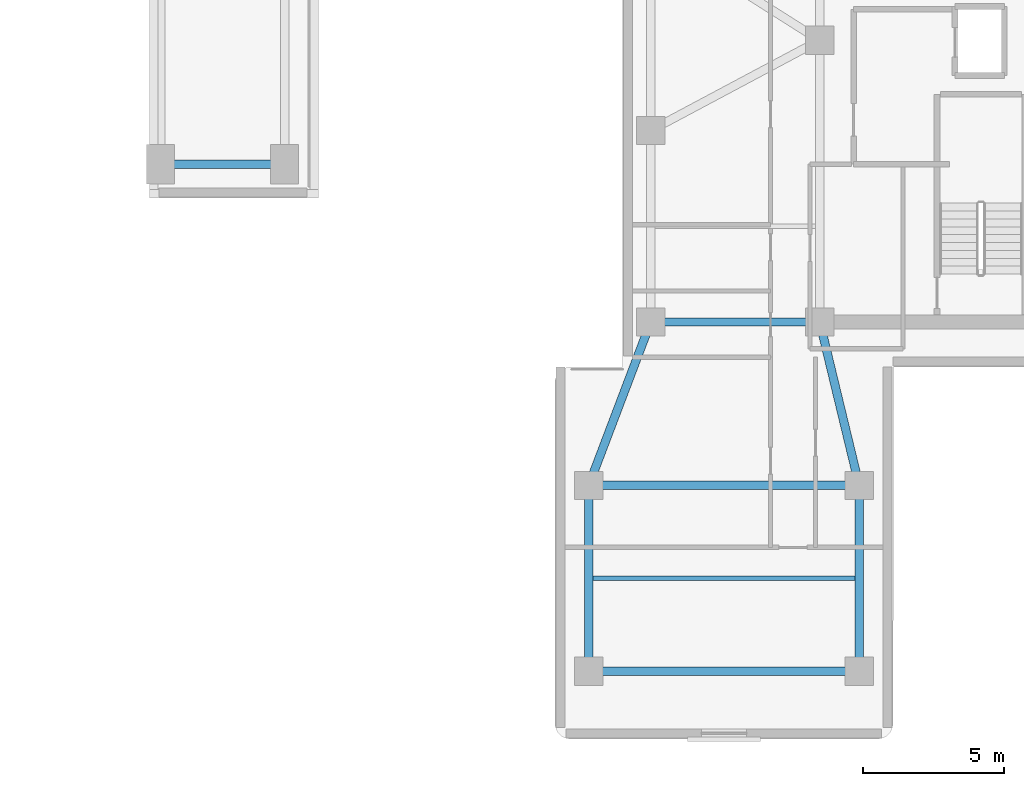
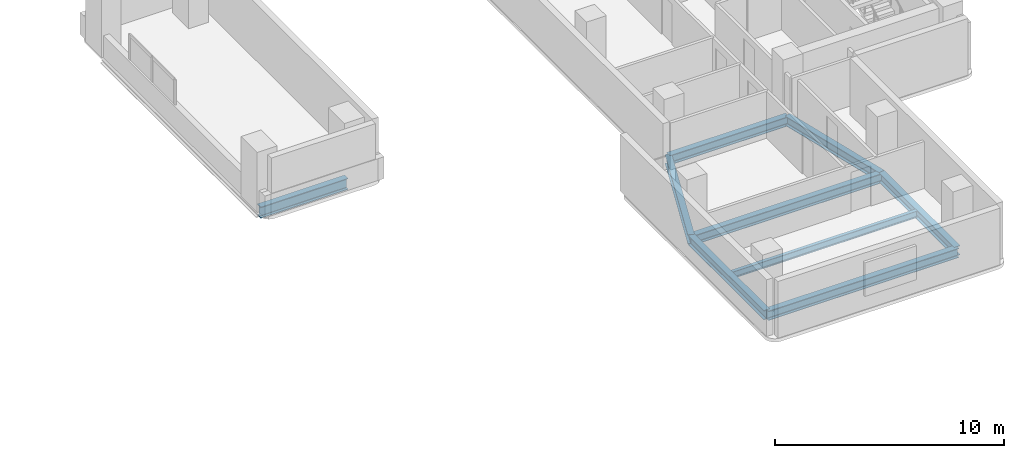
# One storey, part 3 of 12: 9 beams.
"""IFC4 building model written with IfcOpenShell, lengths in metres."""

from ifc_helpers import new_model, si_unit, direction, frame, origin, origin_2d, place, context, subcontext, project, spatial, i_section, extrude, material, material_profile, profile_set, type_object, element, save


model = new_model("IFC4")

# Units and contexts
model_context = context("Model", 3, precision=1e-05, world=origin(), true_north=direction((0.0, 1.0)))
body_context = subcontext(model_context, "Body", "Model", "MODEL_VIEW")
ifc_project = project(units=[si_unit("LENGTHUNIT", "METRE"), si_unit("AREAUNIT", "SQUARE_METRE"), si_unit("VOLUMEUNIT", "CUBIC_METRE"), si_unit("PLANEANGLEUNIT", "RADIAN"), si_unit("MASSUNIT", "GRAM", prefix="KILO")], contexts=[model_context])

# Site, building, storey
site_placement = place(None, origin())
site = spatial("IfcSite", under=ifc_project, at=site_placement, CompositionType="ELEMENT")
building_placement = place(site_placement, origin())
building = spatial("IfcBuilding", under=site, at=building_placement, Name="Kuzgunbayir Cultural Tower", CompositionType="ELEMENT")
storey_placement = place(building_placement, frame((0.0, 0.0, 30.199951171875)))
storey = spatial("IfcBuildingStorey", under=building, at=storey_placement, Name="L07", CompositionType="ELEMENT", Elevation=30.199951171875)

# Beams
ifc_material = material(Name="Steel S355J2", Category="steel")
ifc_material_profile_1 = material_profile(ifc_material, i_section(OverallWidth=0.300048828125, OverallDepth=0.5, WebThickness=0.014404296875, FlangeThickness=0.028076171875, FilletRadius=0.027099609375, at=origin_2d()), Name="HEB 500")
ifc_profile_set_1 = profile_set([ifc_material_profile_1], Name="Steel S355J2")
beam_type_1 = type_object("IfcBeamType", Name="BM-EXT-HEB500", PredefinedType="BEAM", material=ifc_profile_set_1)
beam_1_placement = place(storey_placement, frame((56.39990234375, 9.60009765625, -0.429931640625), z_axis=(0.0, 1.0, 0.0), x_axis=(-1.0, 0.0, 0.0)))
element("IfcBeam", 1, at=beam_1_placement, inside=storey, type_object=beam_type_1, Name="L07 Companion Wing B West Girder", PredefinedType="BEAM", context=body_context, shape_type="SweptSolid", body=[
    extrude(i_section(OverallWidth=0.300048828125, OverallDepth=0.5, WebThickness=0.014404296875, FlangeThickness=0.028076171875, FilletRadius=0.027099609375, at=origin_2d()), origin(), (0.0, 0.0, 1.0), 6.599853515625),
])
beam_2_placement = place(storey_placement, frame((56.39990234375, 16.199951171875, -0.429931640625), z_axis=(0.354679148754, 0.93498807556, 0.0), x_axis=(-0.93498807556, 0.354679148754, 0.0)))
element("IfcBeam", 2, at=beam_2_placement, inside=storey, type_object=beam_type_1, Name="L07 Companion Wing B Floor Girder W", PredefinedType="BEAM", context=body_context, shape_type="SweptSolid", body=[
    extrude(i_section(OverallWidth=0.300048828125, OverallDepth=0.5, WebThickness=0.014404296875, FlangeThickness=0.028076171875, FilletRadius=0.027099609375, at=origin_2d()), origin(), (0.0, 0.0, 1.0), 6.203369140625),
])
beam_3_placement = place(storey_placement, frame((66.0, 9.60009765625, -0.429931640625), z_axis=(0.0, 1.0, 0.0), x_axis=(-1.0, 0.0, 0.0)))
element("IfcBeam", 3, at=beam_3_placement, inside=storey, type_object=beam_type_1, Name="L07 Companion Wing B East Girder", PredefinedType="BEAM", context=body_context, shape_type="SweptSolid", body=[
    extrude(i_section(OverallWidth=0.300048828125, OverallDepth=0.5, WebThickness=0.014404296875, FlangeThickness=0.028076171875, FilletRadius=0.027099609375, at=origin_2d()), origin(), (0.0, 0.0, 1.0), 6.599853515625),
])
beam_4_placement = place(storey_placement, frame((66.0, 16.199951171875, -0.429931640625), z_axis=(-0.234623200431, 0.972086392158, 0.0), x_axis=(-0.972086392158, -0.234623200431, 0.0)))
element("IfcBeam", 4, at=beam_4_placement, inside=storey, type_object=beam_type_1, Name="L07 Companion Wing B Floor Girder E", PredefinedType="BEAM", context=body_context, shape_type="SweptSolid", body=[
    extrude(i_section(OverallWidth=0.300048828125, OverallDepth=0.5, WebThickness=0.014404296875, FlangeThickness=0.028076171875, FilletRadius=0.027099609375, at=origin_2d()), origin(), (0.0, 0.0, 1.0), 5.966552734375),
])
beam_5_placement = place(storey_placement, frame((56.39990234375, 9.60009765625, -0.429931640625), z_axis=(1.0, 0.0, 0.0), x_axis=(0.0, 1.0, 0.0)))
element("IfcBeam", 5, at=beam_5_placement, inside=storey, type_object=beam_type_1, Name="L07 Companion Wing B South Girder", PredefinedType="BEAM", context=body_context, shape_type="SweptSolid", body=[
    extrude(i_section(OverallWidth=0.300048828125, OverallDepth=0.5, WebThickness=0.014404296875, FlangeThickness=0.028076171875, FilletRadius=0.027099609375, at=origin_2d()), origin(), (0.0, 0.0, 1.0), 9.60009765625),
])
ifc_material_profile_2 = material_profile(ifc_material, i_section(OverallWidth=0.300048828125, OverallDepth=0.60009765625, WebThickness=0.015380859375, FlangeThickness=0.030029296875, FilletRadius=0.027099609375, at=origin_2d()), Name="HEB 600")
ifc_profile_set_2 = profile_set([ifc_material_profile_2], Name="Steel S355J2")
beam_type_2 = type_object("IfcBeamType", Name="BM-EXT-HEB600", PredefinedType="BEAM", material=ifc_profile_set_2)
beam_6_placement = place(storey_placement, frame((41.199951171875, 27.60009765625, -0.530029296875), z_axis=(1.0, 0.0, 0.0), x_axis=(0.0, 1.0, 0.0)))
element("IfcBeam", 6, at=beam_6_placement, inside=storey, type_object=beam_type_2, Name="L07 Portal Pier South Girder", PredefinedType="BEAM", context=body_context, shape_type="SweptSolid", body=[
    extrude(i_section(OverallWidth=0.300048828125, OverallDepth=0.60009765625, WebThickness=0.015380859375, FlangeThickness=0.030029296875, FilletRadius=0.027099609375, at=origin_2d()), origin(), (0.0, 0.0, 1.0), 4.400146484375),
])
ifc_material_profile_3 = material_profile(ifc_material, i_section(OverallWidth=0.300048828125, OverallDepth=0.5, WebThickness=0.014404296875, FlangeThickness=0.028076171875, FilletRadius=0.027099609375, at=origin_2d()), Name="HEB 500")
ifc_profile_set_3 = profile_set([ifc_material_profile_3], Name="Steel S355J2")
beam_type_3 = type_object("IfcBeamType", Name="BM-GIR-HEB500", PredefinedType="BEAM", material=ifc_profile_set_3)
beam_7_placement = place(storey_placement, frame((58.60009765625, 22.0, -0.429931640625), z_axis=(1.0, 0.0, 0.0), x_axis=(0.0, 1.0, 0.0)))
element("IfcBeam", 7, at=beam_7_placement, inside=storey, type_object=beam_type_3, Name="L07 Companion Transverse Girder 1", PredefinedType="BEAM", context=body_context, shape_type="SweptSolid", body=[
    extrude(i_section(OverallWidth=0.300048828125, OverallDepth=0.5, WebThickness=0.014404296875, FlangeThickness=0.028076171875, FilletRadius=0.027099609375, at=origin_2d()), origin(), (0.0, 0.0, 1.0), 6.0),
])
beam_8_placement = place(storey_placement, frame((56.39990234375, 16.199951171875, -0.429931640625), z_axis=(1.0, 0.0, 0.0), x_axis=(0.0, 1.0, 0.0)))
element("IfcBeam", 8, at=beam_8_placement, inside=storey, type_object=beam_type_3, Name="L07 Companion Wing B Mid Girder", PredefinedType="BEAM", context=body_context, shape_type="SweptSolid", body=[
    extrude(i_section(OverallWidth=0.300048828125, OverallDepth=0.5, WebThickness=0.014404296875, FlangeThickness=0.028076171875, FilletRadius=0.027099609375, at=origin_2d()), origin(), (0.0, 0.0, 1.0), 9.60009765625),
])
ifc_material_profile_4 = material_profile(ifc_material, i_section(OverallWidth=0.169921875, OverallDepth=0.360107421875, WebThickness=0.008056640625, FlangeThickness=0.0126953125, FilletRadius=0.01806640625, at=origin_2d()), Name="IPE 360")
ifc_profile_set_4 = profile_set([ifc_material_profile_4], Name="Steel S355J2")
beam_type_4 = type_object("IfcBeamType", Name="BM-JST-IPE360", PredefinedType="JOIST", material=ifc_profile_set_4)
beam_9_placement = place(storey_placement, frame((56.550048828125, 12.89990234375, -0.35986328125), z_axis=(1.0, 0.0, 0.0), x_axis=(0.0, 1.0, 0.0)))
element("IfcBeam", 9, at=beam_9_placement, inside=storey, type_object=beam_type_4, Name="L07 Companion Wing B Joist", PredefinedType="JOIST", context=body_context, shape_type="SweptSolid", body=[
    extrude(i_section(OverallWidth=0.169921875, OverallDepth=0.360107421875, WebThickness=0.008056640625, FlangeThickness=0.0126953125, FilletRadius=0.01806640625, at=origin_2d()), origin(), (0.0, 0.0, 1.0), 9.300048828125),
])

save(model, "model.ifc")
